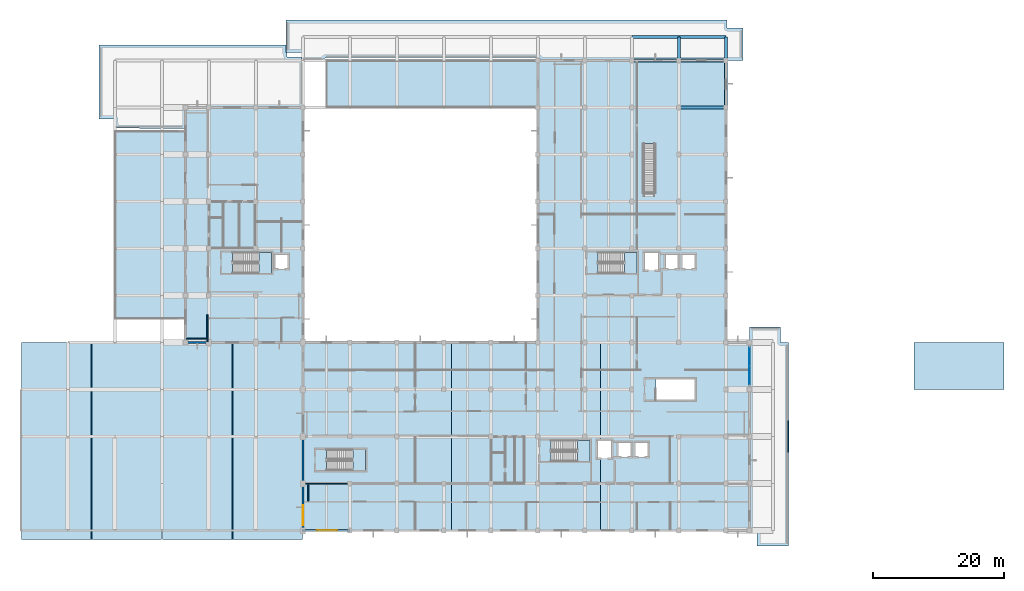
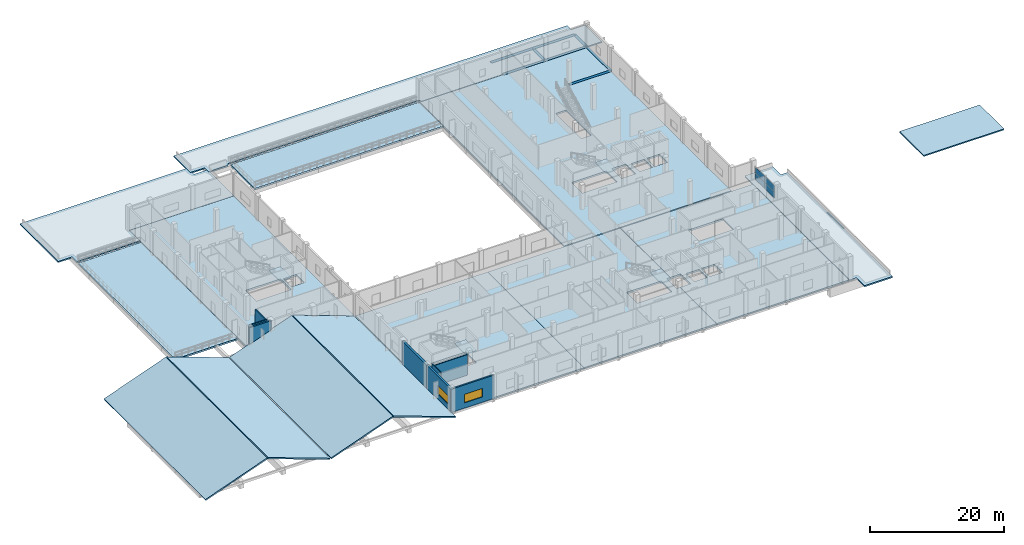
# One storey, part 8 of 24: 19 slabs, 8 beams, 8 walls, 5 plates, 2 windows, 2 openings, 5 elements without a shape of their own.
"""IFC4 building model written with IfcOpenShell, lengths in metres."""

from ifc_helpers import new_model, si_unit, direction, frame, frame_2d, origin, origin_2d, place, context, subcontext, project, spatial, polyline, rectangle, outline, extrude, material, layer, layer_set, material_profile, profile_set, type_object, element, fill, aggregate, save


model = new_model("IFC4")

# Units and contexts
model_context = context("Model", 3, precision=1e-05, world=origin(), true_north=direction((0.0, 1.0)))
body_context = subcontext(model_context, "Body", "Model", "MODEL_VIEW")
ifc_project = project(units=[si_unit("LENGTHUNIT", "METRE"), si_unit("AREAUNIT", "SQUARE_METRE"), si_unit("VOLUMEUNIT", "CUBIC_METRE"), si_unit("PLANEANGLEUNIT", "RADIAN"), si_unit("MASSUNIT", "GRAM", prefix="KILO")], contexts=[model_context])

# Site, building, storey
site_placement = place(None, origin())
site = spatial("IfcSite", under=ifc_project, at=site_placement, CompositionType="ELEMENT")
building_placement = place(site_placement, origin())
building = spatial("IfcBuilding", under=site, at=building_placement, Name="Seraya Terrace Polytechnic", CompositionType="ELEMENT")
storey_placement = place(building_placement, frame((0.0, 0.0, 18.89990234375)))
storey = spatial("IfcBuildingStorey", under=building, at=storey_placement, Name="L04", CompositionType="ELEMENT", Elevation=18.89990234375)

# Beams
ifc_material_1 = material(Name="Concrete C40/50", Category="concrete")
ifc_material_profile_1 = material_profile(ifc_material_1, rectangle(XDim=0.47998046875, YDim=0.780029296875, at=origin_2d()), Name="RC 480x780")
ifc_profile_set_1 = profile_set([ifc_material_profile_1], Name="Concrete C40/50")
beam_type_1 = type_object("IfcBeamType", Name="BM-06", PredefinedType="BEAM", material=ifc_profile_set_1)
for number, where, z_axis, x_axis, name in (
    (1, (100.800048828125, 64.800048828125, -0.389892578125), (1.0, 0.0, 0.0), (0.0, 1.0, 0.0), "Beam BM-06 L04 X (100.8..108.0, 64.8)"),
    (2, (93.60009765625, 72.0, -0.389892578125), (1.0, 0.0, 0.0), (0.0, 1.0, 0.0), "Beam BM-06 L04 X (93.6..100.8, 72.0)"),
    (3, (100.800048828125, 72.0, -0.389892578125), (1.0, 0.0, 0.0), (0.0, 1.0, 0.0), "Beam BM-06 L04 X (100.8..108.0, 72.0)"),
    (4, (93.60009765625, 75.60009765625, -0.389892578125), (1.0, 0.0, 0.0), (0.0, 1.0, 0.0), "Beam BM-06 L04 X (93.6..100.8, 75.6)"),
    (5, (100.800048828125, 75.60009765625, -0.389892578125), (1.0, 0.0, 0.0), (0.0, 1.0, 0.0), "Beam BM-06 L04 X (100.8..108.0, 75.6)"),
):
    element("IfcBeam", number, at=place(storey_placement, frame(where, z_axis=z_axis, x_axis=x_axis)), inside=storey, type_object=beam_type_1, Name=name, PredefinedType="BEAM", context=body_context, shape_type="SweptSolid", body=[
        extrude(rectangle(XDim=0.47998046875, YDim=0.780029296875, at=origin_2d()), origin(), (0.0, 0.0, 1.0), 7.199951171875),
    ])
ifc_material_profile_2 = material_profile(ifc_material_1, rectangle(XDim=0.449951171875, YDim=0.75, at=origin_2d()), Name="RC 450x750")
ifc_profile_set_2 = profile_set([ifc_material_profile_2], Name="Concrete C40/50")
beam_type_2 = type_object("IfcBeamType", Name="BM-08", PredefinedType="BEAM", material=ifc_profile_set_2)
beam_1_placement = place(storey_placement, frame((100.800048828125, 72.0, -0.375), z_axis=(0.0, 1.0, 0.0), x_axis=(-1.0, 0.0, 0.0)))
element("IfcBeam", 6, at=beam_1_placement, inside=storey, type_object=beam_type_2, Name="Beam BM-08 L04 Y (100.8, 72.0..75.6)", PredefinedType="BEAM", context=body_context, shape_type="SweptSolid", body=[
    extrude(rectangle(XDim=0.449951171875, YDim=0.75, at=origin_2d()), origin(), (0.0, 0.0, 1.0), 3.60009765625),
])
beam_2_placement = place(storey_placement, frame((108.0, 64.800048828125, -0.375), z_axis=(0.0, 1.0, 0.0), x_axis=(-1.0, 0.0, 0.0)))
element("IfcBeam", 7, at=beam_2_placement, inside=storey, type_object=beam_type_2, Name="Beam BM-08 L04 Y (108.0, 64.8..72.0)", PredefinedType="BEAM", context=body_context, shape_type="SweptSolid", body=[
    extrude(rectangle(XDim=0.449951171875, YDim=0.75, at=origin_2d()), origin(), (0.0, 0.0, 1.0), 7.199951171875),
])
beam_3_placement = place(storey_placement, frame((108.0, 72.0, -0.375), z_axis=(0.0, 1.0, 0.0), x_axis=(-1.0, 0.0, 0.0)))
element("IfcBeam", 8, at=beam_3_placement, inside=storey, type_object=beam_type_2, Name="Beam BM-08 L04 Y (108.0, 72.0..75.6)", PredefinedType="BEAM", context=body_context, shape_type="SweptSolid", body=[
    extrude(rectangle(XDim=0.449951171875, YDim=0.75, at=origin_2d()), origin(), (0.0, 0.0, 1.0), 3.60009765625),
])

# Curtain wall, plates
ifc_material_2 = material(Name="Anodised aluminium EN AW-6063 T6", Category="aluminium")
ifc_layer_1 = layer(ifc_material_2, 0.179931640625, Name="CW-12")
ifc_layer_set_1 = layer_set([ifc_layer_1], Name="Anodised aluminium EN AW-6063 T6")
curtain_wall_type = type_object("IfcCurtainWallType", Name="CW-12", PredefinedType="NOTDEFINED", material=ifc_layer_set_1)
curtain_wall_placement = place(storey_placement, origin())
curtain_wall = element("IfcCurtainWall", 9, at=curtain_wall_placement, inside=storey, type_object=curtain_wall_type, Name="Unitised curtain wall CW-12 (CW-L04-156)", PredefinedType="NOTDEFINED")
ifc_material_3 = material(Name="Laminated solar-control Low-E double glazing", Category="glass")
ifc_layer_2 = layer(ifc_material_3, 0.035888671875, Name="CWP-03")
ifc_layer_set_2 = layer_set([ifc_layer_2], Name="Laminated solar-control Low-E double glazing")
plate_type_1 = type_object("IfcPlateType", Name="CWP-03", PredefinedType="CURTAIN_PANEL", material=ifc_layer_set_2)
plate_1_placement = place(storey_placement, frame((111.60009765625, 26.625, 1.295166015625), z_axis=(0.0, 0.0, 1.0), x_axis=(0.0, -1.0, 0.0)))
plate_1 = element("IfcPlate", 10, at=plate_1_placement, type_object=plate_type_1, Name="CW-12 panel 1.1", PredefinedType="CURTAIN_PANEL", context=body_context, shape_type="SweptSolid", body=[
    extrude(rectangle(XDim=2.7900390625, YDim=0.035888671875, at=origin_2d()), origin(), (0.0, 0.0, 1.0), 1.107421875),
])
plate_2_placement = place(storey_placement, frame((111.60009765625, 26.625, 2.45751953125), z_axis=(0.0, 0.0, 1.0), x_axis=(0.0, -1.0, 0.0)))
plate_2 = element("IfcPlate", 11, at=plate_2_placement, type_object=plate_type_1, Name="CW-12 panel 1.2", PredefinedType="CURTAIN_PANEL", context=body_context, shape_type="SweptSolid", body=[
    extrude(rectangle(XDim=2.7900390625, YDim=0.035888671875, at=origin_2d()), origin(), (0.0, 0.0, 1.0), 1.107421875),
])
plate_3_placement = place(storey_placement, frame((111.60009765625, 23.77490234375, 1.295166015625), z_axis=(0.0, 0.0, 1.0), x_axis=(0.0, -1.0, 0.0)))
plate_3 = element("IfcPlate", 12, at=plate_3_placement, type_object=plate_type_1, Name="CW-12 panel 2.1", PredefinedType="CURTAIN_PANEL", context=body_context, shape_type="SweptSolid", body=[
    extrude(rectangle(XDim=2.7900390625, YDim=0.035888671875, at=origin_2d()), origin(), (0.0, 0.0, 1.0), 1.107421875),
])
plate_4_placement = place(storey_placement, frame((111.60009765625, 23.77490234375, 2.45751953125), z_axis=(0.0, 0.0, 1.0), x_axis=(0.0, -1.0, 0.0)))
plate_4 = element("IfcPlate", 13, at=plate_4_placement, type_object=plate_type_1, Name="CW-12 panel 2.2", PredefinedType="CURTAIN_PANEL", context=body_context, shape_type="SweptSolid", body=[
    extrude(rectangle(XDim=2.7900390625, YDim=0.035888671875, at=origin_2d()), origin(), (0.0, 0.0, 1.0), 1.107421875),
])
aggregate(curtain_wall, [plate_1, plate_2, plate_3, plate_4])

# Plate
ifc_material_4 = material(Name="Precast concrete C40/50", Category="concrete")
ifc_layer_3 = layer(ifc_material_4, 0.179931640625, Name="FP-02")
ifc_layer_set_3 = layer_set([ifc_layer_3], Name="Precast concrete C40/50")
plate_type_2 = type_object("IfcPlateType", Name="FP-02", PredefinedType="SHEET", material=ifc_layer_set_3)
plate_5_placement = place(storey_placement, frame((117.530029296875, 14.39990234375, -0.489990234375), z_axis=(0.0, 0.0, 1.0), x_axis=(0.0, 1.0, 0.0)))
element("IfcPlate", 14, at=plate_5_placement, inside=storey, type_object=plate_type_2, Name="Sculpted white precast eave fascia ROOF-L04-SE East", PredefinedType="SHEET", context=body_context, shape_type="SweptSolid", body=[
    extrude(rectangle(XDim=4.800048828125, YDim=0.179931640625, at=origin_2d()), origin(), (0.0, 0.0, 1.0), 0.6201171875),
])

# Slabs
ifc_layer_4 = layer(ifc_material_1, 0.31005859375, Name="FS-09")
ifc_layer_set_4 = layer_set([ifc_layer_4], Name="Concrete C40/50")
slab_type_1 = type_object("IfcSlabType", Name="FS-09", PredefinedType="FLOOR", material=ifc_layer_set_4)
slab_1_placement = place(storey_placement, frame((0.0, 0.0, -0.309814453125)))
element("IfcSlab", 15, at=slab_1_placement, inside=storey, type_object=slab_type_1, Name="Floor slab SLB-V2-SOUTH-L04-S1 (FS-09)", PredefinedType="FLOOR", context=body_context, shape_type="SweptSolid", body=[
    extrude(outline(polyline([(43.260009765625, 0.06005859375), (43.260009765625, 28.739990234375), (66.0, 28.739990234375), (66.0, 0.06005859375), (43.260009765625, 0.06005859375)]), holes=[polyline([(46.840087890625, 12.39990234375), (46.840087890625, 9.199951171875), (52.800048828125, 9.199951171875), (52.800048828125, 12.39990234375), (46.840087890625, 12.39990234375)])]), origin(), (0.0, 0.0, 1.0), 0.309814453125),
])
slab_2_placement = place(storey_placement, frame((0.0, 0.0, -0.309814453125)))
element("IfcSlab", 16, at=slab_2_placement, inside=storey, type_object=slab_type_1, Name="Floor slab SLB-V2-SOUTH-L04-S2 (FS-09)", PredefinedType="FLOOR", context=body_context, shape_type="SweptSolid", body=[
    extrude(outline(polyline([(66.0048828125, 0.06005859375), (66.0048828125, 28.739990234375), (88.800048828125, 28.739990234375), (88.800048828125, 13.89990234375), (88.199951171875, 13.89990234375), (88.199951171875, 11.0), (88.800048828125, 11.0), (88.800048828125, 0.06005859375), (66.0048828125, 0.06005859375)]), holes=[polyline([(81.239990234375, 13.800048828125), (81.239990234375, 10.60009765625), (87.199951171875, 10.60009765625), (87.199951171875, 13.800048828125), (81.239990234375, 13.800048828125)])]), origin(), (0.0, 0.0, 1.0), 0.309814453125),
])
slab_3_placement = place(storey_placement, frame((0.0, 0.0, -0.309814453125)))
element("IfcSlab", 17, at=slab_3_placement, inside=storey, type_object=slab_type_1, Name="Floor slab SLB-V2-SOUTH-L04-S3 (FS-09)", PredefinedType="FLOOR", context=body_context, shape_type="SweptSolid", body=[
    extrude(outline(polyline([(111.5400390625, 28.739990234375), (111.5400390625, 0.06005859375), (88.804931640625, 0.06005859375), (88.804931640625, 11.0), (90.60009765625, 11.0), (90.60009765625, 13.89990234375), (88.804931640625, 13.89990234375), (88.804931640625, 28.739990234375), (111.5400390625, 28.739990234375)]), holes=[polyline([(91.39990234375, 13.60009765625), (91.39990234375, 11.199951171875), (93.60009765625, 11.199951171875), (93.60009765625, 13.60009765625), (91.39990234375, 13.60009765625)]), polyline([(94.0, 13.60009765625), (94.0, 11.199951171875), (96.199951171875, 11.199951171875), (96.199951171875, 13.60009765625), (94.0, 13.60009765625)]), polyline([(97.2900390625, 23.199951171875), (97.2900390625, 20.0), (103.25, 20.0), (103.25, 23.199951171875), (97.2900390625, 23.199951171875)])]), origin(), (0.0, 0.0, 1.0), 0.309814453125),
])
slab_4_placement = place(storey_placement, frame((0.0, 0.0, -0.309814453125)))
element("IfcSlab", 18, at=slab_4_placement, inside=storey, type_object=slab_type_1, Name="Floor slab SLB-V2-WEST-L04-S1 (FS-09)", PredefinedType="FLOOR", context=body_context, shape_type="SweptSolid", body=[
    extrude(outline(polyline([(25.260009765625, 64.739990234375), (43.139892578125, 64.739990234375), (43.139892578125, 28.860107421875), (25.260009765625, 28.860107421875), (25.260009765625, 64.739990234375)]), holes=[polyline([(32.43994140625, 42.60009765625), (32.43994140625, 39.39990234375), (38.39990234375, 39.39990234375), (38.39990234375, 42.60009765625), (32.43994140625, 42.60009765625)]), polyline([(38.820068359375, 40.0), (41.02001953125, 40.0), (41.02001953125, 42.39990234375), (38.820068359375, 42.39990234375), (38.820068359375, 40.0)])]), origin(), (0.0, 0.0, 1.0), 0.309814453125),
])
slab_5_placement = place(storey_placement, frame((0.0, 0.0, -0.309814453125)))
element("IfcSlab", 19, at=slab_5_placement, inside=storey, type_object=slab_type_1, Name="Floor slab SLB-V2-SPINE-L04-S1 (FS-09)", PredefinedType="FLOOR", context=body_context, shape_type="SweptSolid", body=[
    extrude(outline(polyline([(79.260009765625, 71.93994140625), (107.93994140625, 71.93994140625), (107.93994140625, 28.860107421875), (79.260009765625, 28.860107421875), (79.260009765625, 71.93994140625)]), holes=[polyline([(88.43994140625, 42.60009765625), (88.43994140625, 39.39990234375), (94.39990234375, 39.39990234375), (94.39990234375, 42.60009765625), (88.43994140625, 42.60009765625)]), polyline([(98.60009765625, 42.39990234375), (98.60009765625, 40.0), (100.800048828125, 40.0), (100.800048828125, 42.39990234375), (98.60009765625, 42.39990234375)]), polyline([(101.199951171875, 42.39990234375), (101.199951171875, 40.0), (103.39990234375, 40.0), (103.39990234375, 42.39990234375), (101.199951171875, 42.39990234375)]), polyline([(95.39990234375, 42.699951171875), (95.39990234375, 39.800048828125), (97.800048828125, 39.800048828125), (97.800048828125, 42.699951171875), (95.39990234375, 42.699951171875)]), polyline([(95.35009765625, 59.280029296875), (95.35009765625, 51.760009765625), (97.1298828125, 51.760009765625), (97.1298828125, 59.280029296875), (95.35009765625, 59.280029296875)])]), origin(), (0.0, 0.0, 1.0), 0.309814453125),
])
ifc_layer_5 = layer(ifc_material_4, 0.22998046875, Name="RS-03")
ifc_layer_set_5 = layer_set([ifc_layer_5], Name="Precast concrete C40/50")
slab_type_2 = type_object("IfcSlabType", Name="RS-03", PredefinedType="ROOF", material=ifc_layer_set_5)
slab_6_placement = place(storey_placement, frame((0.0, 0.0, -0.22998046875)))
element("IfcSlab", 20, at=slab_6_placement, inside=storey, type_object=slab_type_2, Name="Sculpted overhanging precast roof plate ROOF-L04-NWRIM", PredefinedType="ROOF", context=body_context, shape_type="SweptSolid", body=[
    extrude(outline(polyline([(43.0, 72.0), (43.0, 73.199951171875), (40.60009765625, 73.199951171875), (40.60009765625, 78.199951171875), (108.199951171875, 78.199951171875), (108.199951171875, 77.0), (110.60009765625, 77.0), (110.60009765625, 72.0), (79.6201171875, 72.0), (79.61181640625, 72.081787109375), (79.587890625, 72.16064453125), (79.54931640625, 72.2333984375), (79.4970703125, 72.297119140625), (79.433349609375, 72.34912109375), (79.360595703125, 72.387939453125), (79.281982421875, 72.411865234375), (79.199951171875, 72.419921875), (46.800048828125, 72.419921875), (46.718017578125, 72.411865234375), (46.639404296875, 72.387939453125), (46.566650390625, 72.34912109375), (46.5029296875, 72.297119140625), (46.45068359375, 72.2333984375), (46.412109375, 72.16064453125), (46.38818359375, 72.081787109375), (46.3798828125, 72.0), (43.0, 72.0)])), origin(), (0.0, 0.0, 1.0), 0.22998046875),
])
slab_7_placement = place(storey_placement, frame((0.0, 0.0, -0.22998046875)))
element("IfcSlab", 21, at=slab_7_placement, inside=storey, type_object=slab_type_2, Name="Sculpted overhanging precast roof plate ROOF-L04-WEST", PredefinedType="ROOF", context=body_context, shape_type="SweptSolid", body=[
    extrude(outline(polyline([(43.199951171875, 61.199951171875), (43.14501953125, 61.199951171875), (43.139892578125, 64.7451171875), (25.259521484375, 64.7451171875), (25.2548828125, 61.615966796875), (14.39990234375, 61.6201171875), (14.39990234375, 63.048095703125), (12.0, 63.048095703125), (12.0, 74.39990234375), (40.594970703125, 74.39990234375), (40.594970703125, 73.199462890625), (40.800048828125, 73.195068359375), (40.800048828125, 72.552001953125), (42.9951171875, 72.552001953125), (42.995361328125, 71.998046875), (43.199951171875, 71.9951171875), (43.199951171875, 61.199951171875)])), origin(), (0.0, 0.0, 1.0), 0.22998046875),
])
slab_8_placement = place(storey_placement, frame((0.0, 0.0, -0.22998046875)))
element("IfcSlab", 22, at=slab_8_placement, inside=storey, type_object=slab_type_2, Name="Sculpted overhanging precast roof plate ROOF-L04-SE", PredefinedType="ROOF", context=body_context, shape_type="SweptSolid", body=[
    extrude(outline(polyline([(112.800048828125, 0.0), (111.60009765625, 0.0), (111.60009765625, 31.199951171875), (116.39990234375, 31.199951171875), (116.39990234375, 28.800048828125), (117.60009765625, 28.800048828125), (117.60009765625, -2.39990234375), (112.800048828125, -2.39990234375), (112.800048828125, 0.0)])), origin(), (0.0, 0.0, 1.0), 0.22998046875),
])
ifc_layer_6 = layer(ifc_material_1, 0.239990234375, Name="RS-04")
ifc_layer_set_6 = layer_set([ifc_layer_6], Name="Concrete C40/50")
slab_type_3 = type_object("IfcSlabType", Name="RS-04", PredefinedType="ROOF", material=ifc_layer_set_6)
slab_9_placement = place(storey_placement, frame((0.080078125, -1.39990234375, 0.0), z_axis=(-0.341045010461, 0.0, 0.940046967358), x_axis=(0.940046967358, 0.0, 0.341045010461)))
element("IfcSlab", 23, at=slab_9_placement, inside=storey, type_object=slab_type_3, Name="Lecture shell folded concrete roof West facet 1", PredefinedType="ROOF", context=body_context, shape_type="SweptSolid", body=[
    extrude(outline(polyline([(0.0, 0.0), (11.31846912715911, 0.0), (11.31846912715911, 30.199951171875), (0.0, 30.199951171875), (0.0, 0.0)])), origin(), (0.0, 0.0, -1.0), 0.239990234375),
])
for number, where, z_axis, x_axis, name in (
    (24, (10.8798828125, -1.39990234375, 3.860107421875), (0.341038095251, 0.0, 0.940049476138), (0.940049476138, 0.0, -0.341038095251), "Lecture shell folded concrete roof East facet 1"),
    (25, (21.679931640625, -1.39990234375, 0.0), (-0.341038095251, 0.0, 0.940049476138), (0.940049476138, 0.0, 0.341038095251), "Lecture shell folded concrete roof West facet 2"),
    (26, (32.47998046875, -1.39990234375, 3.860107421875), (0.341038095251, 0.0, 0.940049476138), (0.940049476138, 0.0, -0.341038095251), "Lecture shell folded concrete roof East facet 2"),
):
    element("IfcSlab", number, at=place(storey_placement, frame(where, z_axis=z_axis, x_axis=x_axis)), inside=storey, type_object=slab_type_3, Name=name, PredefinedType="ROOF", context=body_context, shape_type="SweptSolid", body=[
        extrude(outline(polyline([(0.0, 0.0), (11.318698631119503, 0.0), (11.318698631119503, 30.199951171875), (0.0, 30.199951171875), (0.0, 0.0)])), origin(), (0.0, 0.0, -1.0), 0.239990234375),
    ])
ifc_layer_7 = layer(ifc_material_1, 0.2099609375, Name="RS-05")
ifc_layer_set_7 = layer_set([ifc_layer_7], Name="Concrete C40/50")
slab_type_4 = type_object("IfcSlabType", Name="RS-05", PredefinedType="ROOF", material=ifc_layer_set_7)
slab_10_placement = place(storey_placement, frame((0.0, 0.0, 0.489990234375)))
element("IfcSlab", 27, at=slab_10_placement, inside=storey, type_object=slab_type_4, Name="Core Core E overrun roof slab", PredefinedType="ROOF", context=body_context, shape_type="SweptSolid", body=[
    extrude(outline(polyline([(136.800048828125, 21.60009765625), (150.60009765625, 21.60009765625), (150.60009765625, 28.800048828125), (136.800048828125, 28.800048828125), (136.800048828125, 21.60009765625)])), origin(), (0.0, 0.0, 1.0), 0.210205078125),
])

# Stair, slab
stair_type = type_object("IfcStairType", Name="ST-T2", PredefinedType="HALF_TURN_STAIR", material=ifc_material_1)
stair_1_placement = place(storey_placement, origin())
stair_1 = element("IfcStair", 28, at=stair_1_placement, inside=storey, type_object=stair_type, Name="L04 Protected exit stair ST-01", PredefinedType="HALF_TURN_STAIR")
ifc_layer_8 = layer(ifc_material_1, 0.199951171875, Name="SL-01")
ifc_layer_set_8 = layer_set([ifc_layer_8], Name="Concrete C40/50")
slab_type_5 = type_object("IfcSlabType", Name="SL-01", PredefinedType="LANDING", material=ifc_layer_set_8)
slab_11_placement = place(storey_placement, frame((0.0, 0.0, 2.050048828125)))
slab_11 = element("IfcSlab", 29, at=slab_11_placement, type_object=slab_type_5, Name="ST-01 landing 1", PredefinedType="LANDING", context=body_context, shape_type="SweptSolid", body=[
    extrude(outline(polyline([(85.260009765625, 10.60009765625), (87.199951171875, 10.60009765625), (87.199951171875, 13.800048828125), (85.260009765625, 13.800048828125), (85.260009765625, 10.60009765625)])), origin(), (0.0, 0.0, 1.0), 0.199951171875),
])
aggregate(stair_1, [slab_11])

stair_2_placement = place(storey_placement, origin())
stair_2 = element("IfcStair", 30, at=stair_2_placement, inside=storey, type_object=stair_type, Name="L04 Protected exit stair ST-02", PredefinedType="HALF_TURN_STAIR")
slab_12_placement = place(storey_placement, frame((0.0, 0.0, 2.050048828125)))
slab_12 = element("IfcSlab", 31, at=slab_12_placement, type_object=slab_type_5, Name="ST-02 landing 1", PredefinedType="LANDING", context=body_context, shape_type="SweptSolid", body=[
    extrude(outline(polyline([(92.4599609375, 39.39990234375), (94.39990234375, 39.39990234375), (94.39990234375, 42.60009765625), (92.4599609375, 42.60009765625), (92.4599609375, 39.39990234375)])), origin(), (0.0, 0.0, 1.0), 0.199951171875),
])
aggregate(stair_2, [slab_12])

stair_3_placement = place(storey_placement, origin())
stair_3 = element("IfcStair", 32, at=stair_3_placement, inside=storey, type_object=stair_type, Name="L04 Protected exit stair ST-03", PredefinedType="HALF_TURN_STAIR")
slab_13_placement = place(storey_placement, frame((0.0, 0.0, 2.050048828125)))
slab_13 = element("IfcSlab", 33, at=slab_13_placement, type_object=slab_type_5, Name="ST-03 landing 1", PredefinedType="LANDING", context=body_context, shape_type="SweptSolid", body=[
    extrude(outline(polyline([(50.860107421875, 9.199951171875), (52.800048828125, 9.199951171875), (52.800048828125, 12.39990234375), (50.860107421875, 12.39990234375), (50.860107421875, 9.199951171875)])), origin(), (0.0, 0.0, 1.0), 0.199951171875),
])
aggregate(stair_3, [slab_13])

stair_4_placement = place(storey_placement, origin())
stair_4 = element("IfcStair", 34, at=stair_4_placement, inside=storey, type_object=stair_type, Name="L04 Protected exit stair ST-04", PredefinedType="HALF_TURN_STAIR")
slab_14_placement = place(storey_placement, frame((0.0, 0.0, 2.050048828125)))
slab_14 = element("IfcSlab", 35, at=slab_14_placement, type_object=slab_type_5, Name="ST-04 landing 1", PredefinedType="LANDING", context=body_context, shape_type="SweptSolid", body=[
    extrude(outline(polyline([(36.4599609375, 39.39990234375), (38.39990234375, 39.39990234375), (38.39990234375, 42.60009765625), (36.4599609375, 42.60009765625), (36.4599609375, 39.39990234375)])), origin(), (0.0, 0.0, 1.0), 0.199951171875),
])
aggregate(stair_4, [slab_14])

# Slabs
ifc_layer_9 = layer(ifc_material_1, 0.300048828125, Name="TS-03")
ifc_layer_set_9 = layer_set([ifc_layer_9], Name="Concrete C40/50")
slab_type_6 = type_object("IfcSlabType", Name="TS-03", PredefinedType="FLOOR", material=ifc_layer_set_9)
slab_15_placement = place(storey_placement, frame((0.0, 0.0, -0.2998046875)))
element("IfcSlab", 36, at=slab_15_placement, inside=storey, type_object=slab_type_6, Name="Planted study terrace slab TERR-L04-W", PredefinedType="FLOOR", context=body_context, shape_type="SweptSolid", body=[
    extrude(outline(polyline([(14.39990234375, 32.39990234375), (14.39990234375, 61.199951171875), (25.199951171875, 61.199951171875), (25.199951171875, 32.39990234375), (14.39990234375, 32.39990234375)])), origin(), (0.0, 0.0, 1.0), 0.2998046875),
])
slab_16_placement = place(storey_placement, frame((0.0, 0.0, -0.2998046875)))
element("IfcSlab", 37, at=slab_16_placement, inside=storey, type_object=slab_type_6, Name="Planted study terrace slab TERR-L04-NW", PredefinedType="FLOOR", context=body_context, shape_type="SweptSolid", body=[
    extrude(outline(polyline([(46.800048828125, 64.800048828125), (46.800048828125, 72.0), (79.199951171875, 72.0), (79.199951171875, 64.800048828125), (46.800048828125, 64.800048828125)])), origin(), (0.0, 0.0, 1.0), 0.2998046875),
])

# Wall, opening, window
ifc_layer_10 = layer(ifc_material_4, 0.280029296875, Name="EW-02")
ifc_layer_set_10 = layer_set([ifc_layer_10], Name="Precast concrete C40/50")
wall_type_1 = type_object("IfcWallType", Name="EW-02", PredefinedType="SOLIDWALL", material=ifc_layer_set_10)
wall_1_placement = place(storey_placement, frame((50.39990234375, 0.0, 0.0), z_axis=(0.0, 0.0, 1.0), x_axis=(-1.0, 0.0, 0.0)))
wall_1 = element("IfcWall", 38, at=wall_1_placement, inside=storey, type_object=wall_type_1, Name="Exterior structural wall EW-02 L04", PredefinedType="SOLIDWALL", context=body_context, shape_type="SweptSolid", body=[
    extrude(rectangle(XDim=7.349853515625, YDim=0.280029296875, at=frame_2d((3.6748046875, 0.0))), origin(), (0.0, 0.0, 1.0), 4.22021484375),
])
opening_1_placement = place(wall_1_placement, frame((1.949951171875, 0.0, 0.949951171875)))
opening_1 = element("IfcOpeningElement", 39, at=opening_1_placement, cuts=wall_1, Name="Opening WN-24", PredefinedType="OPENING", context=body_context, shape_type="SweptSolid", body=[
    extrude(rectangle(XDim=3.10009765625, YDim=1.550048828125, at=frame_2d((1.550048828125, 0.77490234375))), frame((0.0, 0.15185546875, 0.0), z_axis=(0.0, -1.0, 0.0), x_axis=(1.0, 0.0, 0.0)), (0.0, 0.0, 1.0), 0.303955078125),
])
window_type = type_object("IfcWindowType", Name="WN-24", PartitioningType="SINGLE_PANEL", PredefinedType="WINDOW", material=ifc_material_3)
window_1_placement = place(opening_1_placement, origin())
window_1 = element("IfcWindow", 40, at=window_1_placement, inside=storey, type_object=window_type, Name="Exterior window WN-24 L04", OverallHeight=1.550048828125, OverallWidth=3.10009765625, PartitioningType="SINGLE_PANEL", PredefinedType="WINDOW", context=body_context, shape_type="SweptSolid", body=[
    extrude(rectangle(XDim=3.10009765625, YDim=1.550048828125, at=frame_2d((1.550048828125, 0.77490234375))), frame((0.0, 0.030029296875, 0.0), z_axis=(0.0, -1.0, 0.0), x_axis=(1.0, 0.0, 0.0)), (0.0, 0.0, 1.0), 0.06005859375),
])
fill(opening_1, window_1)

# Wall
wall_2_placement = place(storey_placement, frame((28.800048828125, 28.800048828125, 0.0), z_axis=(0.0, 0.0, 1.0), x_axis=(-1.0, 0.0, 0.0)))
element("IfcWall", 41, at=wall_2_placement, inside=storey, type_object=wall_type_1, Name="Exterior structural wall EW-02 L04", PredefinedType="SOLIDWALL", context=body_context, shape_type="SweptSolid", body=[
    extrude(rectangle(XDim=3.75, YDim=0.280029296875, at=frame_2d((1.875, 0.0))), origin(), (0.0, 0.0, 1.0), 4.22021484375),
])

# Wall, opening, window
ifc_layer_11 = layer(ifc_material_1, 0.330078125, Name="EW-06")
ifc_layer_set_11 = layer_set([ifc_layer_11], Name="Concrete C40/50")
wall_type_2 = type_object("IfcWallType", Name="EW-06", PredefinedType="SOLIDWALL", material=ifc_layer_set_11)
wall_3_placement = place(storey_placement, frame((43.199951171875, 0.166015625, 0.0), z_axis=(0.0, 0.0, 1.0), x_axis=(0.0, 1.0, 0.0)))
wall_3 = element("IfcWall", 42, at=wall_3_placement, inside=storey, type_object=wall_type_2, Name="Exterior structural wall EW-06 L04", PredefinedType="SOLIDWALL", context=body_context, shape_type="SweptSolid", body=[
    extrude(rectangle(XDim=7.033935546875, YDim=0.330078125, at=frame_2d((3.51708984375, 0.0))), origin(), (0.0, 0.0, 1.0), 4.22021484375),
])
opening_2_placement = place(wall_3_placement, frame((0.60693359375, 0.0, 0.949951171875)))
opening_2 = element("IfcOpeningElement", 43, at=opening_2_placement, cuts=wall_3, Name="Opening WN-24", PredefinedType="OPENING", context=body_context, shape_type="SweptSolid", body=[
    extrude(rectangle(XDim=3.10009765625, YDim=1.550048828125, at=frame_2d((1.550048828125, 0.77490234375))), frame((0.0, 0.177001953125, 0.0), z_axis=(0.0, -1.0, 0.0), x_axis=(1.0, 0.0, 0.0)), (0.0, 0.0, 1.0), 0.35400390625),
])
window_2_placement = place(opening_2_placement, origin())
window_2 = element("IfcWindow", 44, at=window_2_placement, inside=storey, type_object=window_type, Name="Exterior window WN-24 L04", OverallHeight=1.550048828125, OverallWidth=3.10009765625, PartitioningType="SINGLE_PANEL", PredefinedType="WINDOW", context=body_context, shape_type="SweptSolid", body=[
    extrude(rectangle(XDim=3.10009765625, YDim=1.550048828125, at=frame_2d((1.550048828125, 0.77490234375))), frame((0.0, 0.030029296875, 0.0), z_axis=(0.0, -1.0, 0.0), x_axis=(1.0, 0.0, 0.0)), (0.0, 0.0, 1.0), 0.06005859375),
])
fill(opening_2, window_2)

# Walls
wall_4_placement = place(storey_placement, frame((43.199951171875, 7.199951171875, 0.0), z_axis=(0.0, 0.0, 1.0), x_axis=(0.0, 1.0, 0.0)))
element("IfcWall", 45, at=wall_4_placement, inside=storey, type_object=wall_type_2, Name="Exterior structural wall EW-06 L04", PredefinedType="SOLIDWALL", context=body_context, shape_type="SweptSolid", body=[
    extrude(rectangle(XDim=7.199951171875, YDim=0.330078125, at=frame_2d((3.60009765625, 0.0))), origin(), (0.0, 0.0, 1.0), 4.22021484375),
])
ifc_material_5 = material(Name="Autoclaved aerated concrete blockwork", Category="masonry")
ifc_layer_12 = layer(ifc_material_5, 0.169921875, Name="PT-02")
ifc_layer_set_12 = layer_set([ifc_layer_12], Name="Autoclaved aerated concrete blockwork")
wall_type_3 = type_object("IfcWallType", Name="PT-02", PredefinedType="PARTITIONING", material=ifc_layer_set_12)
wall_5_placement = place(storey_placement, frame((43.376953125, 7.14990234375, 0.0), z_axis=(0.0, 0.0, 1.0), x_axis=(1.0, 0.0, 0.0)))
element("IfcWall", 46, at=wall_5_placement, inside=storey, type_object=wall_type_3, Name="Internal partition PT-02 L04", PredefinedType="PARTITIONING", context=body_context, shape_type="SweptSolid", body=[
    extrude(rectangle(XDim=6.6630859375, YDim=0.169921875, at=frame_2d((3.33154296875, 0.0))), origin(), (0.0, 0.0, 1.0), 3.72998046875),
])
wall_6_placement = place(storey_placement, frame((44.0, 4.5, 0.0), z_axis=(0.0, 0.0, 1.0), x_axis=(0.0, 1.0, 0.0)))
element("IfcWall", 47, at=wall_6_placement, inside=storey, type_object=wall_type_3, Name="Internal partition PT-02 L04", PredefinedType="PARTITIONING", context=body_context, shape_type="SweptSolid", body=[
    extrude(rectangle(XDim=2.550048828125, YDim=0.169921875, at=frame_2d((1.27490234375, 0.0))), origin(), (0.0, 0.0, 1.0), 4.16015625),
])
wall_7_placement = place(storey_placement, frame((28.60009765625, 28.951904296875, 0.0), z_axis=(0.0, 0.0, 1.0), x_axis=(0.0, 1.0, 0.0)))
element("IfcWall", 48, at=wall_7_placement, inside=storey, type_object=wall_type_3, Name="Internal partition PT-02 L04", PredefinedType="PARTITIONING", context=body_context, shape_type="SweptSolid", body=[
    extrude(rectangle(XDim=4.07958984375, YDim=0.169921875, at=frame_2d((2.039794921875, 0.0))), origin(), (0.0, 0.0, 1.0), 3.72998046875),
])
wall_8_placement = place(storey_placement, frame((25.35205078125, 29.39990234375, 0.0), z_axis=(0.0, 0.0, 1.0), x_axis=(1.0, 0.0, 0.0)))
element("IfcWall", 49, at=wall_8_placement, inside=storey, type_object=wall_type_3, Name="Internal partition PT-02 L04", PredefinedType="PARTITIONING", context=body_context, shape_type="SweptSolid", body=[
    extrude(rectangle(XDim=3.14794921875, YDim=0.169921875, at=frame_2d((1.573974609375, 0.0))), origin(), (0.0, 0.0, 1.0), 4.16015625),
])

save(model, "model.ifc")
